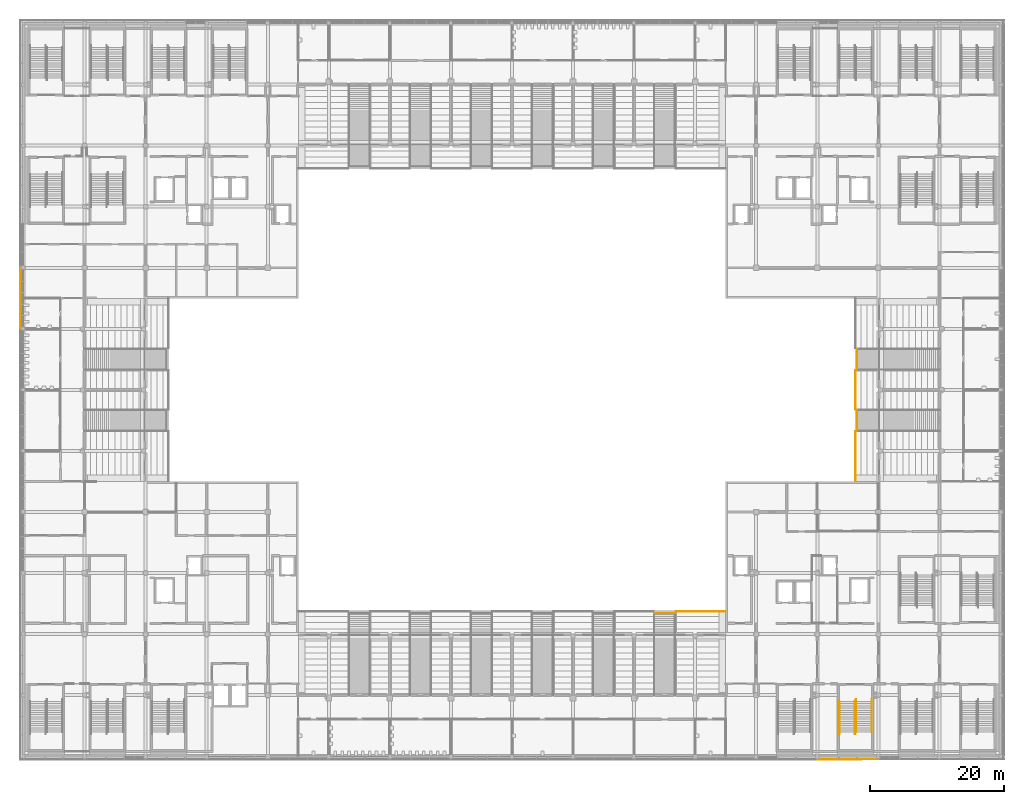
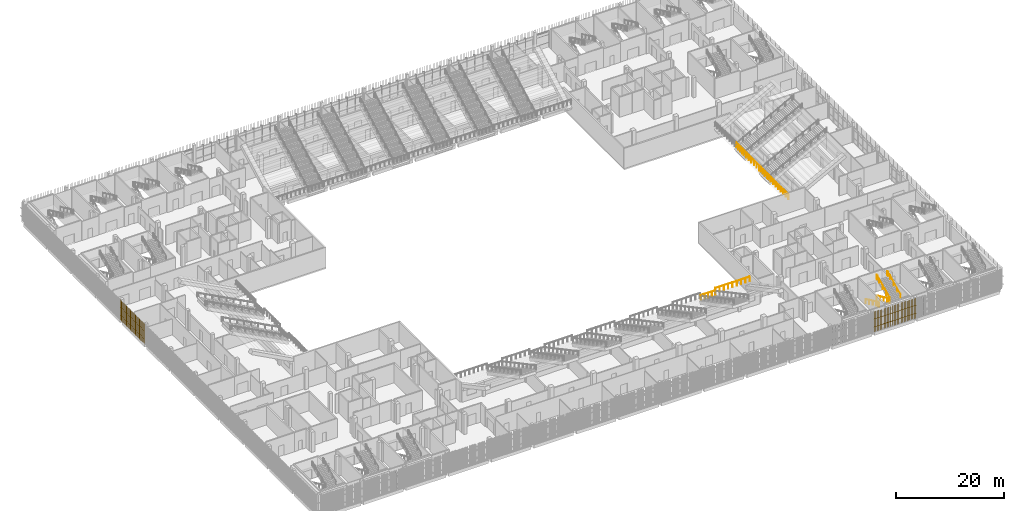
# One storey, part 121 of 139: 10 railings, 2 shading devices.
"""IFC4 building model written with IfcOpenShell, lengths in metres."""

from ifc_helpers import new_model, si_unit, direction, frame, origin, origin_2d, place, context, subcontext, project, spatial, rectangle, circle, extrude, material, type_object, element, save


model = new_model("IFC4")

# Units and contexts
model_context = context("Model", 3, precision=1e-05, world=origin(), true_north=direction((0.0, 1.0)))
body_context = subcontext(model_context, "Body", "Model", "MODEL_VIEW")
ifc_project = project(units=[si_unit("LENGTHUNIT", "METRE"), si_unit("AREAUNIT", "SQUARE_METRE"), si_unit("VOLUMEUNIT", "CUBIC_METRE"), si_unit("PLANEANGLEUNIT", "RADIAN"), si_unit("MASSUNIT", "GRAM", prefix="KILO")], contexts=[model_context])

# Site, building, storey
site_placement = place(None, origin())
site = spatial("IfcSite", under=ifc_project, at=site_placement, CompositionType="ELEMENT")
building_placement = place(site_placement, origin())
building = spatial("IfcBuilding", under=site, at=building_placement, Name="Shirokan Park Arena", CompositionType="ELEMENT")
storey_placement = place(building_placement, frame((0.0, 0.0, 15.469970703125)))
storey = spatial("IfcBuildingStorey", under=building, at=storey_placement, Name="L03", CompositionType="ELEMENT", Elevation=15.469970703125)

# Railings
ifc_material_1 = material(Name="Stainless steel", Category="steel")
railing_type_1 = type_object("IfcRailingType", Name="Aisle foot guard 1100", PredefinedType="GUARDRAIL", material=ifc_material_1)
railing_1_placement = place(storey_placement, frame((94.0, 21.35009765625, 2.5400390625)))
element("IfcRailing", 1, at=railing_1_placement, inside=storey, type_object=railing_type_1, Name="Guard foot of vomitory stair S6 upper", PredefinedType="GUARDRAIL", context=body_context, shape_type="SweptSolid", body=[
    extrude(circle(Radius=0.02490234375, at=origin_2d()), frame((0.0, 0.0, 1.0771484375), z_axis=(1.0, 0.0, 0.0), x_axis=(0.0, 1.0, 0.0)), (0.0, 0.0, 1.0), 3.10009765625),
    extrude(circle(Radius=0.02490234375, at=origin_2d()), origin(), (0.0, 0.0, 1.0), 1.052001953125),
    extrude(circle(Radius=0.02490234375, at=origin_2d()), frame((0.77490234375, 0.0, 0.0)), (0.0, 0.0, 1.0), 1.052001953125),
    extrude(circle(Radius=0.02490234375, at=origin_2d()), frame((1.550048828125, 0.0, 0.0)), (0.0, 0.0, 1.0), 1.052001953125),
    extrude(circle(Radius=0.02490234375, at=origin_2d()), frame((2.3251953125, 0.0, 0.0)), (0.0, 0.0, 1.0), 1.052001953125),
    extrude(circle(Radius=0.02490234375, at=origin_2d()), frame((3.10009765625, 0.0, 0.0)), (0.0, 0.0, 1.0), 1.052001953125),
])
railing_2_placement = place(storey_placement, frame((124.25, 48.5, 2.5400390625)))
element("IfcRailing", 2, at=railing_2_placement, inside=storey, type_object=railing_type_1, Name="Guard foot of vomitory stair E1 upper", PredefinedType="GUARDRAIL", context=body_context, shape_type="SweptSolid", body=[
    extrude(circle(Radius=0.02490234375, at=origin_2d()), frame((0.0, 0.0, 1.0771484375), z_axis=(0.0, 1.0, 0.0), x_axis=(-1.0, 0.0, 0.0)), (0.0, 0.0, 1.0), 3.10009765625),
    extrude(circle(Radius=0.02490234375, at=origin_2d()), origin(), (0.0, 0.0, 1.0), 1.052001953125),
    extrude(circle(Radius=0.02490234375, at=origin_2d()), frame((0.0, 0.77490234375, 0.0)), (0.0, 0.0, 1.0), 1.052001953125),
    extrude(circle(Radius=0.02490234375, at=origin_2d()), frame((0.0, 1.550048828125, 0.0)), (0.0, 0.0, 1.0), 1.052001953125),
    extrude(circle(Radius=0.02490234375, at=origin_2d()), frame((0.0, 2.3251953125, 0.0)), (0.0, 0.0, 1.0), 1.052001953125),
    extrude(circle(Radius=0.02490234375, at=origin_2d()), frame((0.0, 3.10009765625, 0.0)), (0.0, 0.0, 1.0), 1.052001953125),
])
railing_3_placement = place(storey_placement, frame((124.25, 57.60009765625, 2.5400390625)))
element("IfcRailing", 3, at=railing_3_placement, inside=storey, type_object=railing_type_1, Name="Guard foot of vomitory stair E2 upper", PredefinedType="GUARDRAIL", context=body_context, shape_type="SweptSolid", body=[
    extrude(circle(Radius=0.02490234375, at=origin_2d()), frame((0.0, 0.0, 1.0771484375), z_axis=(0.0, 1.0, 0.0), x_axis=(-1.0, 0.0, 0.0)), (0.0, 0.0, 1.0), 3.099853515625),
    extrude(circle(Radius=0.02490234375, at=origin_2d()), origin(), (0.0, 0.0, 1.0), 1.052001953125),
    extrude(circle(Radius=0.02490234375, at=origin_2d()), frame((0.0, 0.77490234375, 0.0)), (0.0, 0.0, 1.0), 1.052001953125),
    extrude(circle(Radius=0.02490234375, at=origin_2d()), frame((0.0, 1.5498046875, 0.0)), (0.0, 0.0, 1.0), 1.052001953125),
    extrude(circle(Radius=0.02490234375, at=origin_2d()), frame((0.0, 2.324951171875, 0.0)), (0.0, 0.0, 1.0), 1.052001953125),
    extrude(circle(Radius=0.02490234375, at=origin_2d()), frame((0.0, 3.099853515625, 0.0)), (0.0, 0.0, 1.0), 1.052001953125),
])
railing_type_2 = type_object("IfcRailingType", Name="Crowd barrier 1100", PredefinedType="GUARDRAIL", material=ifc_material_1)
railing_4_placement = place(storey_placement, frame((97.199951171875, 21.60009765625, 2.860107421875)))
element("IfcRailing", 4, at=railing_4_placement, inside=storey, type_object=railing_type_2, Name="Crowd barrier S7 upper tier", PredefinedType="GUARDRAIL", context=body_context, shape_type="SweptSolid", body=[
    extrude(circle(Radius=0.030029296875, at=origin_2d()), frame((0.0, 0.0, 1.072021484375), z_axis=(1.0, 0.0, 0.0), x_axis=(0.0, 1.0, 0.0)), (0.0, 0.0, 1.0), 7.400146484375),
    extrude(circle(Radius=0.030029296875, at=origin_2d()), origin(), (0.0, 0.0, 1.0), 1.0419921875),
    extrude(circle(Radius=0.030029296875, at=origin_2d()), frame((0.925048828125, 0.0, 0.0)), (0.0, 0.0, 1.0), 1.0419921875),
    extrude(circle(Radius=0.030029296875, at=origin_2d()), frame((1.85009765625, 0.0, 0.0)), (0.0, 0.0, 1.0), 1.0419921875),
    extrude(circle(Radius=0.030029296875, at=origin_2d()), frame((2.775146484375, 0.0, 0.0)), (0.0, 0.0, 1.0), 1.0419921875),
    extrude(circle(Radius=0.030029296875, at=origin_2d()), frame((3.7001953125, 0.0, 0.0)), (0.0, 0.0, 1.0), 1.0419921875),
    extrude(circle(Radius=0.030029296875, at=origin_2d()), frame((4.625, 0.0, 0.0)), (0.0, 0.0, 1.0), 1.0419921875),
    extrude(circle(Radius=0.030029296875, at=origin_2d()), frame((5.550048828125, 0.0, 0.0)), (0.0, 0.0, 1.0), 1.0419921875),
    extrude(circle(Radius=0.030029296875, at=origin_2d()), frame((6.47509765625, 0.0, 0.0)), (0.0, 0.0, 1.0), 1.0419921875),
    extrude(circle(Radius=0.030029296875, at=origin_2d()), frame((7.400146484375, 0.0, 0.0)), (0.0, 0.0, 1.0), 1.0419921875),
])
railing_5_placement = place(storey_placement, frame((124.0, 41.0, 2.860107421875)))
element("IfcRailing", 5, at=railing_5_placement, inside=storey, type_object=railing_type_2, Name="Crowd barrier E1 upper tier", PredefinedType="GUARDRAIL", context=body_context, shape_type="SweptSolid", body=[
    extrude(circle(Radius=0.030029296875, at=origin_2d()), frame((0.0, 0.0, 1.072021484375), z_axis=(0.0, 1.0, 0.0), x_axis=(-1.0, 0.0, 0.0)), (0.0, 0.0, 1.0), 7.39990234375),
    extrude(circle(Radius=0.030029296875, at=origin_2d()), origin(), (0.0, 0.0, 1.0), 1.0419921875),
    extrude(circle(Radius=0.030029296875, at=origin_2d()), frame((0.0, 0.925048828125, 0.0)), (0.0, 0.0, 1.0), 1.0419921875),
    extrude(circle(Radius=0.030029296875, at=origin_2d()), frame((0.0, 1.85009765625, 0.0)), (0.0, 0.0, 1.0), 1.0419921875),
    extrude(circle(Radius=0.030029296875, at=origin_2d()), frame((0.0, 2.77490234375, 0.0)), (0.0, 0.0, 1.0), 1.0419921875),
    extrude(circle(Radius=0.030029296875, at=origin_2d()), frame((0.0, 3.699951171875, 0.0)), (0.0, 0.0, 1.0), 1.0419921875),
    extrude(circle(Radius=0.030029296875, at=origin_2d()), frame((0.0, 4.625, 0.0)), (0.0, 0.0, 1.0), 1.0419921875),
    extrude(circle(Radius=0.030029296875, at=origin_2d()), frame((0.0, 5.5498046875, 0.0)), (0.0, 0.0, 1.0), 1.0419921875),
    extrude(circle(Radius=0.030029296875, at=origin_2d()), frame((0.0, 6.474853515625, 0.0)), (0.0, 0.0, 1.0), 1.0419921875),
    extrude(circle(Radius=0.030029296875, at=origin_2d()), frame((0.0, 7.39990234375, 0.0)), (0.0, 0.0, 1.0), 1.0419921875),
])
railing_6_placement = place(storey_placement, frame((124.0, 51.699951171875, 2.860107421875)))
element("IfcRailing", 6, at=railing_6_placement, inside=storey, type_object=railing_type_2, Name="Crowd barrier E2 upper tier", PredefinedType="GUARDRAIL", context=body_context, shape_type="SweptSolid", body=[
    extrude(circle(Radius=0.030029296875, at=origin_2d()), frame((0.0, 0.0, 1.072021484375), z_axis=(0.0, 1.0, 0.0), x_axis=(-1.0, 0.0, 0.0)), (0.0, 0.0, 1.0), 5.800048828125),
    extrude(circle(Radius=0.030029296875, at=origin_2d()), origin(), (0.0, 0.0, 1.0), 1.0419921875),
    extrude(circle(Radius=0.030029296875, at=origin_2d()), frame((0.0, 0.966796875, 0.0)), (0.0, 0.0, 1.0), 1.0419921875),
    extrude(circle(Radius=0.030029296875, at=origin_2d()), frame((0.0, 1.933349609375, 0.0)), (0.0, 0.0, 1.0), 1.0419921875),
    extrude(circle(Radius=0.030029296875, at=origin_2d()), frame((0.0, 2.89990234375, 0.0)), (0.0, 0.0, 1.0), 1.0419921875),
    extrude(circle(Radius=0.030029296875, at=origin_2d()), frame((0.0, 3.86669921875, 0.0)), (0.0, 0.0, 1.0), 1.0419921875),
    extrude(circle(Radius=0.030029296875, at=origin_2d()), frame((0.0, 4.83349609375, 0.0)), (0.0, 0.0, 1.0), 1.0419921875),
    extrude(circle(Radius=0.030029296875, at=origin_2d()), frame((0.0, 5.800048828125, 0.0)), (0.0, 0.0, 1.0), 1.0419921875),
])
railing_type_3 = type_object("IfcRailingType", Name="Stair handrail 900", PredefinedType="HANDRAIL", material=ifc_material_1)
railing_7_placement = place(storey_placement, frame((121.590087890625, 8.14990234375, 0.151611328125)))
element("IfcRailing", 7, at=railing_7_placement, inside=storey, type_object=railing_type_3, Name="Handrail Exit Stair 2.C L03 to L04", PredefinedType="HANDRAIL", context=body_context, shape_type="SweptSolid", body=[
    extrude(circle(Radius=0.02392578125, at=origin_2d()), frame((0.0, 0.0, 0.8759765625), z_axis=(0.0, -0.906999720516, 0.421131222998), x_axis=(1.0, 0.0, 0.0)), (0.0, 0.0, 1.0), 1.440673828125),
    extrude(circle(Radius=0.02392578125, at=origin_2d()), frame((0.0, -1.306640625, 1.482421875), z_axis=(0.0, -0.907029769225, 0.421066500378), x_axis=(1.0, 0.0, 0.0)), (0.0, 0.0, 1.0), 1.44091796875),
    extrude(circle(Radius=0.02392578125, at=origin_2d()), frame((0.0, -2.613525390625, 2.08935546875), z_axis=(0.0, -0.907029769225, 0.421066500378), x_axis=(1.0, 0.0, 0.0)), (0.0, 0.0, 1.0), 1.44091796875),
    extrude(circle(Radius=0.02392578125, at=origin_2d()), frame((0.0, -3.92041015625, 2.69580078125), z_axis=(0.0, -0.906934982928, 0.421270621741), x_axis=(1.0, 0.0, 0.0)), (0.0, 0.0, 1.0), 0.720458984375),
    extrude(circle(Radius=0.02392578125, at=origin_2d()), frame((0.0, -4.57373046875, 2.99951171875), z_axis=(0.0, -1.0, 0.0), x_axis=(1.0, 0.0, 0.0)), (0.0, 0.0, 1.0), 0.300048828125),
    extrude(circle(Radius=0.02099609375, at=origin_2d()), origin(), (0.0, 0.0, 1.0), 0.851806640625),
    extrude(circle(Radius=0.02099609375, at=origin_2d()), frame((0.0, -1.306640625, 0.606689453125)), (0.0, 0.0, 1.0), 0.851806640625),
    extrude(circle(Radius=0.02099609375, at=origin_2d()), frame((0.0, -2.613525390625, 1.21337890625)), (0.0, 0.0, 1.0), 0.851806640625),
    extrude(circle(Radius=0.02099609375, at=origin_2d()), frame((0.0, -3.92041015625, 1.820068359375)), (0.0, 0.0, 1.0), 0.851806640625),
    extrude(circle(Radius=0.02099609375, at=origin_2d()), frame((0.0, -4.57373046875, 2.12353515625)), (0.0, 0.0, 1.0), 0.851806640625),
    extrude(circle(Radius=0.02099609375, at=origin_2d()), frame((0.0, -4.873779296875, 2.12353515625)), (0.0, 0.0, 1.0), 0.851806640625),
])
railing_8_placement = place(storey_placement, frame((123.909912109375, 8.14990234375, 0.151611328125)))
element("IfcRailing", 8, at=railing_8_placement, inside=storey, type_object=railing_type_3, Name="Handrail Exit Stair 2.C L03 to L04", PredefinedType="HANDRAIL", context=body_context, shape_type="SweptSolid", body=[
    extrude(circle(Radius=0.02392578125, at=origin_2d()), frame((0.0, 0.0, 0.8759765625), z_axis=(0.0, -0.906999720516, 0.421131222998), x_axis=(1.0, 0.0, 0.0)), (0.0, 0.0, 1.0), 1.440673828125),
    extrude(circle(Radius=0.02392578125, at=origin_2d()), frame((0.0, -1.306640625, 1.482421875), z_axis=(0.0, -0.907029769225, 0.421066500378), x_axis=(1.0, 0.0, 0.0)), (0.0, 0.0, 1.0), 1.44091796875),
    extrude(circle(Radius=0.02392578125, at=origin_2d()), frame((0.0, -2.613525390625, 2.08935546875), z_axis=(0.0, -0.907029769225, 0.421066500378), x_axis=(1.0, 0.0, 0.0)), (0.0, 0.0, 1.0), 1.44091796875),
    extrude(circle(Radius=0.02392578125, at=origin_2d()), frame((0.0, -3.92041015625, 2.69580078125), z_axis=(0.0, -0.906934982928, 0.421270621741), x_axis=(1.0, 0.0, 0.0)), (0.0, 0.0, 1.0), 0.720458984375),
    extrude(circle(Radius=0.02392578125, at=origin_2d()), frame((0.0, -4.57373046875, 2.99951171875), z_axis=(0.0, -1.0, 0.0), x_axis=(1.0, 0.0, 0.0)), (0.0, 0.0, 1.0), 0.300048828125),
    extrude(circle(Radius=0.02099609375, at=origin_2d()), origin(), (0.0, 0.0, 1.0), 0.851806640625),
    extrude(circle(Radius=0.02099609375, at=origin_2d()), frame((0.0, -1.306640625, 0.606689453125)), (0.0, 0.0, 1.0), 0.851806640625),
    extrude(circle(Radius=0.02099609375, at=origin_2d()), frame((0.0, -2.613525390625, 1.21337890625)), (0.0, 0.0, 1.0), 0.851806640625),
    extrude(circle(Radius=0.02099609375, at=origin_2d()), frame((0.0, -3.92041015625, 1.820068359375)), (0.0, 0.0, 1.0), 0.851806640625),
    extrude(circle(Radius=0.02099609375, at=origin_2d()), frame((0.0, -4.57373046875, 2.12353515625)), (0.0, 0.0, 1.0), 0.851806640625),
    extrude(circle(Radius=0.02099609375, at=origin_2d()), frame((0.0, -4.873779296875, 2.12353515625)), (0.0, 0.0, 1.0), 0.851806640625),
])
railing_9_placement = place(storey_placement, frame((124.090087890625, 3.576171875, 2.4267578125)))
element("IfcRailing", 9, at=railing_9_placement, inside=storey, type_object=railing_type_3, Name="Handrail Exit Stair 2.C L03 to L04", PredefinedType="HANDRAIL", context=body_context, shape_type="SweptSolid", body=[
    extrude(circle(Radius=0.02392578125, at=origin_2d()), frame((0.0, 0.0, 0.8759765625), z_axis=(0.0, 0.907029769225, 0.421066500378), x_axis=(-1.0, 0.0, 0.0)), (0.0, 0.0, 1.0), 1.44091796875),
    extrude(circle(Radius=0.02392578125, at=origin_2d()), frame((0.0, 1.306884765625, 1.482421875), z_axis=(0.0, 0.906999720516, 0.421131222998), x_axis=(-1.0, 0.0, 0.0)), (0.0, 0.0, 1.0), 1.440673828125),
    extrude(circle(Radius=0.02392578125, at=origin_2d()), frame((0.0, 2.613525390625, 2.08935546875), z_axis=(0.0, 0.907094476872, 0.420927083981), x_axis=(-1.0, 0.0, 0.0)), (0.0, 0.0, 1.0), 1.440673828125),
    extrude(circle(Radius=0.02392578125, at=origin_2d()), frame((0.0, 3.92041015625, 2.69580078125), z_axis=(0.0, 0.906934982928, 0.421270621741), x_axis=(-1.0, 0.0, 0.0)), (0.0, 0.0, 1.0), 0.720458984375),
    extrude(circle(Radius=0.02392578125, at=origin_2d()), frame((0.0, 4.57373046875, 2.9990234375), z_axis=(0.0, 1.0, 0.0), x_axis=(-1.0, 0.0, 0.0)), (0.0, 0.0, 1.0), 0.300048828125),
    extrude(circle(Radius=0.02099609375, at=origin_2d()), origin(), (0.0, 0.0, 1.0), 0.851806640625),
    extrude(circle(Radius=0.02099609375, at=origin_2d()), frame((0.0, 1.306884765625, 0.606689453125)), (0.0, 0.0, 1.0), 0.851806640625),
    extrude(circle(Radius=0.02099609375, at=origin_2d()), frame((0.0, 2.613525390625, 1.21337890625)), (0.0, 0.0, 1.0), 0.851806640625),
    extrude(circle(Radius=0.02099609375, at=origin_2d()), frame((0.0, 3.92041015625, 1.81982421875)), (0.0, 0.0, 1.0), 0.851806640625),
    extrude(circle(Radius=0.02099609375, at=origin_2d()), frame((0.0, 4.57373046875, 2.123291015625)), (0.0, 0.0, 1.0), 0.851806640625),
    extrude(circle(Radius=0.02099609375, at=origin_2d()), frame((0.0, 4.873779296875, 2.123291015625)), (0.0, 0.0, 1.0), 0.851806640625),
])
railing_10_placement = place(storey_placement, frame((126.409912109375, 3.576171875, 2.4267578125)))
element("IfcRailing", 10, at=railing_10_placement, inside=storey, type_object=railing_type_3, Name="Handrail Exit Stair 2.C L03 to L04", PredefinedType="HANDRAIL", context=body_context, shape_type="SweptSolid", body=[
    extrude(circle(Radius=0.02392578125, at=origin_2d()), frame((0.0, 0.0, 0.8759765625), z_axis=(0.0, 0.907029769225, 0.421066500378), x_axis=(-1.0, 0.0, 0.0)), (0.0, 0.0, 1.0), 1.44091796875),
    extrude(circle(Radius=0.02392578125, at=origin_2d()), frame((0.0, 1.306884765625, 1.482421875), z_axis=(0.0, 0.906999720516, 0.421131222998), x_axis=(-1.0, 0.0, 0.0)), (0.0, 0.0, 1.0), 1.440673828125),
    extrude(circle(Radius=0.02392578125, at=origin_2d()), frame((0.0, 2.613525390625, 2.08935546875), z_axis=(0.0, 0.907094476872, 0.420927083981), x_axis=(-1.0, 0.0, 0.0)), (0.0, 0.0, 1.0), 1.440673828125),
    extrude(circle(Radius=0.02392578125, at=origin_2d()), frame((0.0, 3.92041015625, 2.69580078125), z_axis=(0.0, 0.906934982928, 0.421270621741), x_axis=(-1.0, 0.0, 0.0)), (0.0, 0.0, 1.0), 0.720458984375),
    extrude(circle(Radius=0.02392578125, at=origin_2d()), frame((0.0, 4.57373046875, 2.9990234375), z_axis=(0.0, 1.0, 0.0), x_axis=(-1.0, 0.0, 0.0)), (0.0, 0.0, 1.0), 0.300048828125),
    extrude(circle(Radius=0.02099609375, at=origin_2d()), origin(), (0.0, 0.0, 1.0), 0.851806640625),
    extrude(circle(Radius=0.02099609375, at=origin_2d()), frame((0.0, 1.306884765625, 0.606689453125)), (0.0, 0.0, 1.0), 0.851806640625),
    extrude(circle(Radius=0.02099609375, at=origin_2d()), frame((0.0, 2.613525390625, 1.21337890625)), (0.0, 0.0, 1.0), 0.851806640625),
    extrude(circle(Radius=0.02099609375, at=origin_2d()), frame((0.0, 3.92041015625, 1.81982421875)), (0.0, 0.0, 1.0), 0.851806640625),
    extrude(circle(Radius=0.02099609375, at=origin_2d()), frame((0.0, 4.57373046875, 2.123291015625)), (0.0, 0.0, 1.0), 0.851806640625),
    extrude(circle(Radius=0.02099609375, at=origin_2d()), frame((0.0, 4.873779296875, 2.123291015625)), (0.0, 0.0, 1.0), 0.851806640625),
])

# Shading devices
ifc_material_2 = material(Name="Timber louvre veil (cedar)", Category="wood")
shading_device_type = type_object("IfcShadingDeviceType", Name="Timber louvre veil panel", PredefinedType="JALOUSIE", material=ifc_material_2)
shading_device_1_placement = place(storey_placement, origin())
element("IfcShadingDevice", 11, at=shading_device_1_placement, inside=storey, type_object=shading_device_type, Name="Timber louvre veil south bay 14 L03", PredefinedType="JALOUSIE", context=body_context, shape_type="SweptSolid", body=[
    extrude(rectangle(XDim=0.050048828125, YDim=0.080078125, at=origin_2d()), frame((118.45166015625, -0.485107421875, 0.0), z_axis=(0.0, 0.0, 1.0), x_axis=(1.0, 0.0, 0.0)), (0.0, 0.0, 1.0), 4.550048828125),
    extrude(rectangle(XDim=0.050048828125, YDim=0.080078125, at=origin_2d()), frame((118.7548828125, -0.485107421875, 0.0), z_axis=(0.0, 0.0, 1.0), x_axis=(1.0, 0.0, 0.0)), (0.0, 0.0, 1.0), 4.550048828125),
    extrude(rectangle(XDim=0.050048828125, YDim=0.080078125, at=origin_2d()), frame((119.058349609375, -0.485107421875, 0.0), z_axis=(0.0, 0.0, 1.0), x_axis=(1.0, 0.0, 0.0)), (0.0, 0.0, 1.0), 4.550048828125),
    extrude(rectangle(XDim=0.050048828125, YDim=0.080078125, at=origin_2d()), frame((119.361572265625, -0.485107421875, 0.0), z_axis=(0.0, 0.0, 1.0), x_axis=(1.0, 0.0, 0.0)), (0.0, 0.0, 1.0), 4.550048828125),
    extrude(rectangle(XDim=0.050048828125, YDim=0.080078125, at=origin_2d()), frame((119.6650390625, -0.485107421875, 0.0), z_axis=(0.0, 0.0, 1.0), x_axis=(1.0, 0.0, 0.0)), (0.0, 0.0, 1.0), 4.550048828125),
    extrude(rectangle(XDim=0.050048828125, YDim=0.080078125, at=origin_2d()), frame((119.96826171875, -0.485107421875, 0.0), z_axis=(0.0, 0.0, 1.0), x_axis=(1.0, 0.0, 0.0)), (0.0, 0.0, 1.0), 4.550048828125),
    extrude(rectangle(XDim=0.050048828125, YDim=0.080078125, at=origin_2d()), frame((120.271728515625, -0.485107421875, 0.0), z_axis=(0.0, 0.0, 1.0), x_axis=(1.0, 0.0, 0.0)), (0.0, 0.0, 1.0), 4.550048828125),
    extrude(rectangle(XDim=0.050048828125, YDim=0.080078125, at=origin_2d()), frame((120.574951171875, -0.485107421875, 0.0), z_axis=(0.0, 0.0, 1.0), x_axis=(1.0, 0.0, 0.0)), (0.0, 0.0, 1.0), 4.550048828125),
    extrude(rectangle(XDim=0.050048828125, YDim=0.080078125, at=origin_2d()), frame((120.87841796875, -0.485107421875, 0.0), z_axis=(0.0, 0.0, 1.0), x_axis=(1.0, 0.0, 0.0)), (0.0, 0.0, 1.0), 4.550048828125),
    extrude(rectangle(XDim=0.050048828125, YDim=0.080078125, at=origin_2d()), frame((121.181640625, -0.485107421875, 0.0), z_axis=(0.0, 0.0, 1.0), x_axis=(1.0, 0.0, 0.0)), (0.0, 0.0, 1.0), 4.550048828125),
    extrude(rectangle(XDim=0.050048828125, YDim=0.080078125, at=origin_2d()), frame((121.485107421875, -0.485107421875, 0.0), z_axis=(0.0, 0.0, 1.0), x_axis=(1.0, 0.0, 0.0)), (0.0, 0.0, 1.0), 4.550048828125),
    extrude(rectangle(XDim=0.050048828125, YDim=0.080078125, at=origin_2d()), frame((121.788330078125, -0.485107421875, 0.0), z_axis=(0.0, 0.0, 1.0), x_axis=(1.0, 0.0, 0.0)), (0.0, 0.0, 1.0), 4.550048828125),
    extrude(rectangle(XDim=0.050048828125, YDim=0.080078125, at=origin_2d()), frame((122.091552734375, -0.485107421875, 0.0), z_axis=(0.0, 0.0, 1.0), x_axis=(1.0, 0.0, 0.0)), (0.0, 0.0, 1.0), 4.550048828125),
    extrude(rectangle(XDim=0.050048828125, YDim=0.080078125, at=origin_2d()), frame((122.39501953125, -0.485107421875, 0.0), z_axis=(0.0, 0.0, 1.0), x_axis=(1.0, 0.0, 0.0)), (0.0, 0.0, 1.0), 4.550048828125),
    extrude(rectangle(XDim=0.050048828125, YDim=0.080078125, at=origin_2d()), frame((122.6982421875, -0.485107421875, 0.0), z_axis=(0.0, 0.0, 1.0), x_axis=(1.0, 0.0, 0.0)), (0.0, 0.0, 1.0), 4.550048828125),
    extrude(rectangle(XDim=0.050048828125, YDim=0.080078125, at=origin_2d()), frame((123.001708984375, -0.485107421875, 0.0), z_axis=(0.0, 0.0, 1.0), x_axis=(1.0, 0.0, 0.0)), (0.0, 0.0, 1.0), 4.550048828125),
    extrude(rectangle(XDim=0.050048828125, YDim=0.080078125, at=origin_2d()), frame((123.304931640625, -0.485107421875, 0.0), z_axis=(0.0, 0.0, 1.0), x_axis=(1.0, 0.0, 0.0)), (0.0, 0.0, 1.0), 4.550048828125),
    extrude(rectangle(XDim=0.050048828125, YDim=0.080078125, at=origin_2d()), frame((123.6083984375, -0.485107421875, 0.0), z_axis=(0.0, 0.0, 1.0), x_axis=(1.0, 0.0, 0.0)), (0.0, 0.0, 1.0), 4.550048828125),
    extrude(rectangle(XDim=0.050048828125, YDim=0.080078125, at=origin_2d()), frame((123.91162109375, -0.485107421875, 0.0), z_axis=(0.0, 0.0, 1.0), x_axis=(1.0, 0.0, 0.0)), (0.0, 0.0, 1.0), 4.550048828125),
    extrude(rectangle(XDim=0.050048828125, YDim=0.080078125, at=origin_2d()), frame((124.215087890625, -0.485107421875, 0.0), z_axis=(0.0, 0.0, 1.0), x_axis=(1.0, 0.0, 0.0)), (0.0, 0.0, 1.0), 4.550048828125),
    extrude(rectangle(XDim=0.050048828125, YDim=0.080078125, at=origin_2d()), frame((124.518310546875, -0.485107421875, 0.0), z_axis=(0.0, 0.0, 1.0), x_axis=(1.0, 0.0, 0.0)), (0.0, 0.0, 1.0), 4.550048828125),
    extrude(rectangle(XDim=0.050048828125, YDim=0.080078125, at=origin_2d()), frame((124.82177734375, -0.485107421875, 0.0), z_axis=(0.0, 0.0, 1.0), x_axis=(1.0, 0.0, 0.0)), (0.0, 0.0, 1.0), 4.550048828125),
    extrude(rectangle(XDim=0.050048828125, YDim=0.080078125, at=origin_2d()), frame((125.125, -0.485107421875, 0.0), z_axis=(0.0, 0.0, 1.0), x_axis=(1.0, 0.0, 0.0)), (0.0, 0.0, 1.0), 4.550048828125),
    extrude(rectangle(XDim=0.050048828125, YDim=0.080078125, at=origin_2d()), frame((125.42822265625, -0.485107421875, 0.0), z_axis=(0.0, 0.0, 1.0), x_axis=(1.0, 0.0, 0.0)), (0.0, 0.0, 1.0), 4.550048828125),
    extrude(rectangle(XDim=0.050048828125, YDim=0.080078125, at=origin_2d()), frame((125.731689453125, -0.485107421875, 0.0), z_axis=(0.0, 0.0, 1.0), x_axis=(1.0, 0.0, 0.0)), (0.0, 0.0, 1.0), 4.550048828125),
    extrude(rectangle(XDim=0.050048828125, YDim=0.080078125, at=origin_2d()), frame((126.034912109375, -0.485107421875, 0.0), z_axis=(0.0, 0.0, 1.0), x_axis=(1.0, 0.0, 0.0)), (0.0, 0.0, 1.0), 4.550048828125),
    extrude(rectangle(XDim=0.050048828125, YDim=0.080078125, at=origin_2d()), frame((126.33837890625, -0.485107421875, 0.0), z_axis=(0.0, 0.0, 1.0), x_axis=(1.0, 0.0, 0.0)), (0.0, 0.0, 1.0), 4.550048828125),
    extrude(rectangle(XDim=0.050048828125, YDim=0.080078125, at=origin_2d()), frame((126.6416015625, -0.485107421875, 0.0), z_axis=(0.0, 0.0, 1.0), x_axis=(1.0, 0.0, 0.0)), (0.0, 0.0, 1.0), 4.550048828125),
    extrude(rectangle(XDim=0.050048828125, YDim=0.080078125, at=origin_2d()), frame((126.945068359375, -0.485107421875, 0.0), z_axis=(0.0, 0.0, 1.0), x_axis=(1.0, 0.0, 0.0)), (0.0, 0.0, 1.0), 4.550048828125),
    extrude(rectangle(XDim=0.050048828125, YDim=0.080078125, at=origin_2d()), frame((127.248291015625, -0.485107421875, 0.0), z_axis=(0.0, 0.0, 1.0), x_axis=(1.0, 0.0, 0.0)), (0.0, 0.0, 1.0), 4.550048828125),
    extrude(rectangle(XDim=9.10009765625, YDim=0.050048828125, at=origin_2d()), frame((122.85009765625, -0.469970703125, 1.06005859375), z_axis=(0.0, 0.0, 1.0), x_axis=(1.0, 0.0, 0.0)), (0.0, 0.0, 1.0), 0.080078125),
    extrude(rectangle(XDim=9.10009765625, YDim=0.050048828125, at=origin_2d()), frame((122.85009765625, -0.469970703125, 2.860107421875), z_axis=(0.0, 0.0, 1.0), x_axis=(1.0, 0.0, 0.0)), (0.0, 0.0, 1.0), 0.080078125),
])
shading_device_2_placement = place(storey_placement, origin())
element("IfcShadingDevice", 12, at=shading_device_2_placement, inside=storey, type_object=shading_device_type, Name="Timber louvre veil west bay 5 L03", PredefinedType="JALOUSIE", context=body_context, shape_type="SweptSolid", body=[
    extrude(rectangle(XDim=0.050048828125, YDim=0.080078125, at=origin_2d()), frame((-0.485107421875, 72.6484375, 0.0), z_axis=(0.0, 0.0, 1.0), x_axis=(0.0, -1.0, 0.0)), (0.0, 0.0, 1.0), 4.550048828125),
    extrude(rectangle(XDim=0.050048828125, YDim=0.080078125, at=origin_2d()), frame((-0.485107421875, 72.344970703125, 0.0), z_axis=(0.0, 0.0, 1.0), x_axis=(0.0, -1.0, 0.0)), (0.0, 0.0, 1.0), 4.550048828125),
    extrude(rectangle(XDim=0.050048828125, YDim=0.080078125, at=origin_2d()), frame((-0.485107421875, 72.041748046875, 0.0), z_axis=(0.0, 0.0, 1.0), x_axis=(0.0, -1.0, 0.0)), (0.0, 0.0, 1.0), 4.550048828125),
    extrude(rectangle(XDim=0.050048828125, YDim=0.080078125, at=origin_2d()), frame((-0.485107421875, 71.73828125, 0.0), z_axis=(0.0, 0.0, 1.0), x_axis=(0.0, -1.0, 0.0)), (0.0, 0.0, 1.0), 4.550048828125),
    extrude(rectangle(XDim=0.050048828125, YDim=0.080078125, at=origin_2d()), frame((-0.485107421875, 71.43505859375, 0.0), z_axis=(0.0, 0.0, 1.0), x_axis=(0.0, -1.0, 0.0)), (0.0, 0.0, 1.0), 4.550048828125),
    extrude(rectangle(XDim=0.050048828125, YDim=0.080078125, at=origin_2d()), frame((-0.485107421875, 71.131591796875, 0.0), z_axis=(0.0, 0.0, 1.0), x_axis=(0.0, -1.0, 0.0)), (0.0, 0.0, 1.0), 4.550048828125),
    extrude(rectangle(XDim=0.050048828125, YDim=0.080078125, at=origin_2d()), frame((-0.485107421875, 70.828369140625, 0.0), z_axis=(0.0, 0.0, 1.0), x_axis=(0.0, -1.0, 0.0)), (0.0, 0.0, 1.0), 4.550048828125),
    extrude(rectangle(XDim=0.050048828125, YDim=0.080078125, at=origin_2d()), frame((-0.485107421875, 70.52490234375, 0.0), z_axis=(0.0, 0.0, 1.0), x_axis=(0.0, -1.0, 0.0)), (0.0, 0.0, 1.0), 4.550048828125),
    extrude(rectangle(XDim=0.050048828125, YDim=0.080078125, at=origin_2d()), frame((-0.485107421875, 70.2216796875, 0.0), z_axis=(0.0, 0.0, 1.0), x_axis=(0.0, -1.0, 0.0)), (0.0, 0.0, 1.0), 4.550048828125),
    extrude(rectangle(XDim=0.050048828125, YDim=0.080078125, at=origin_2d()), frame((-0.485107421875, 69.918212890625, 0.0), z_axis=(0.0, 0.0, 1.0), x_axis=(0.0, -1.0, 0.0)), (0.0, 0.0, 1.0), 4.550048828125),
    extrude(rectangle(XDim=0.050048828125, YDim=0.080078125, at=origin_2d()), frame((-0.485107421875, 69.614990234375, 0.0), z_axis=(0.0, 0.0, 1.0), x_axis=(0.0, -1.0, 0.0)), (0.0, 0.0, 1.0), 4.550048828125),
    extrude(rectangle(XDim=0.050048828125, YDim=0.080078125, at=origin_2d()), frame((-0.485107421875, 69.311767578125, 0.0), z_axis=(0.0, 0.0, 1.0), x_axis=(0.0, -1.0, 0.0)), (0.0, 0.0, 1.0), 4.550048828125),
    extrude(rectangle(XDim=0.050048828125, YDim=0.080078125, at=origin_2d()), frame((-0.485107421875, 69.00830078125, 0.0), z_axis=(0.0, 0.0, 1.0), x_axis=(0.0, -1.0, 0.0)), (0.0, 0.0, 1.0), 4.550048828125),
    extrude(rectangle(XDim=0.050048828125, YDim=0.080078125, at=origin_2d()), frame((-0.485107421875, 68.705078125, 0.0), z_axis=(0.0, 0.0, 1.0), x_axis=(0.0, -1.0, 0.0)), (0.0, 0.0, 1.0), 4.550048828125),
    extrude(rectangle(XDim=0.050048828125, YDim=0.080078125, at=origin_2d()), frame((-0.485107421875, 68.401611328125, 0.0), z_axis=(0.0, 0.0, 1.0), x_axis=(0.0, -1.0, 0.0)), (0.0, 0.0, 1.0), 4.550048828125),
    extrude(rectangle(XDim=0.050048828125, YDim=0.080078125, at=origin_2d()), frame((-0.485107421875, 68.098388671875, 0.0), z_axis=(0.0, 0.0, 1.0), x_axis=(0.0, -1.0, 0.0)), (0.0, 0.0, 1.0), 4.550048828125),
    extrude(rectangle(XDim=0.050048828125, YDim=0.080078125, at=origin_2d()), frame((-0.485107421875, 67.794921875, 0.0), z_axis=(0.0, 0.0, 1.0), x_axis=(0.0, -1.0, 0.0)), (0.0, 0.0, 1.0), 4.550048828125),
    extrude(rectangle(XDim=0.050048828125, YDim=0.080078125, at=origin_2d()), frame((-0.485107421875, 67.49169921875, 0.0), z_axis=(0.0, 0.0, 1.0), x_axis=(0.0, -1.0, 0.0)), (0.0, 0.0, 1.0), 4.550048828125),
    extrude(rectangle(XDim=0.050048828125, YDim=0.080078125, at=origin_2d()), frame((-0.485107421875, 67.188232421875, 0.0), z_axis=(0.0, 0.0, 1.0), x_axis=(0.0, -1.0, 0.0)), (0.0, 0.0, 1.0), 4.550048828125),
    extrude(rectangle(XDim=0.050048828125, YDim=0.080078125, at=origin_2d()), frame((-0.485107421875, 66.885009765625, 0.0), z_axis=(0.0, 0.0, 1.0), x_axis=(0.0, -1.0, 0.0)), (0.0, 0.0, 1.0), 4.550048828125),
    extrude(rectangle(XDim=0.050048828125, YDim=0.080078125, at=origin_2d()), frame((-0.485107421875, 66.581787109375, 0.0), z_axis=(0.0, 0.0, 1.0), x_axis=(0.0, -1.0, 0.0)), (0.0, 0.0, 1.0), 4.550048828125),
    extrude(rectangle(XDim=0.050048828125, YDim=0.080078125, at=origin_2d()), frame((-0.485107421875, 66.2783203125, 0.0), z_axis=(0.0, 0.0, 1.0), x_axis=(0.0, -1.0, 0.0)), (0.0, 0.0, 1.0), 4.550048828125),
    extrude(rectangle(XDim=0.050048828125, YDim=0.080078125, at=origin_2d()), frame((-0.485107421875, 65.97509765625, 0.0), z_axis=(0.0, 0.0, 1.0), x_axis=(0.0, -1.0, 0.0)), (0.0, 0.0, 1.0), 4.550048828125),
    extrude(rectangle(XDim=0.050048828125, YDim=0.080078125, at=origin_2d()), frame((-0.485107421875, 65.671630859375, 0.0), z_axis=(0.0, 0.0, 1.0), x_axis=(0.0, -1.0, 0.0)), (0.0, 0.0, 1.0), 4.550048828125),
    extrude(rectangle(XDim=0.050048828125, YDim=0.080078125, at=origin_2d()), frame((-0.485107421875, 65.368408203125, 0.0), z_axis=(0.0, 0.0, 1.0), x_axis=(0.0, -1.0, 0.0)), (0.0, 0.0, 1.0), 4.550048828125),
    extrude(rectangle(XDim=0.050048828125, YDim=0.080078125, at=origin_2d()), frame((-0.485107421875, 65.06494140625, 0.0), z_axis=(0.0, 0.0, 1.0), x_axis=(0.0, -1.0, 0.0)), (0.0, 0.0, 1.0), 4.550048828125),
    extrude(rectangle(XDim=0.050048828125, YDim=0.080078125, at=origin_2d()), frame((-0.485107421875, 64.76171875, 0.0), z_axis=(0.0, 0.0, 1.0), x_axis=(0.0, -1.0, 0.0)), (0.0, 0.0, 1.0), 4.550048828125),
    extrude(rectangle(XDim=0.050048828125, YDim=0.080078125, at=origin_2d()), frame((-0.485107421875, 64.458251953125, 0.0), z_axis=(0.0, 0.0, 1.0), x_axis=(0.0, -1.0, 0.0)), (0.0, 0.0, 1.0), 4.550048828125),
    extrude(rectangle(XDim=0.050048828125, YDim=0.080078125, at=origin_2d()), frame((-0.485107421875, 64.155029296875, 0.0), z_axis=(0.0, 0.0, 1.0), x_axis=(0.0, -1.0, 0.0)), (0.0, 0.0, 1.0), 4.550048828125),
    extrude(rectangle(XDim=0.050048828125, YDim=0.080078125, at=origin_2d()), frame((-0.485107421875, 63.8515625, 0.0), z_axis=(0.0, 0.0, 1.0), x_axis=(0.0, -1.0, 0.0)), (0.0, 0.0, 1.0), 4.550048828125),
    extrude(rectangle(XDim=9.10009765625, YDim=0.050048828125, at=origin_2d()), frame((-0.469970703125, 68.25, 1.06005859375), z_axis=(0.0, 0.0, 1.0), x_axis=(0.0, -1.0, 0.0)), (0.0, 0.0, 1.0), 0.080078125),
    extrude(rectangle(XDim=9.10009765625, YDim=0.050048828125, at=origin_2d()), frame((-0.469970703125, 68.25, 2.860107421875), z_axis=(0.0, 0.0, 1.0), x_axis=(0.0, -1.0, 0.0)), (0.0, 0.0, 1.0), 0.080078125),
])

save(model, "model.ifc")
